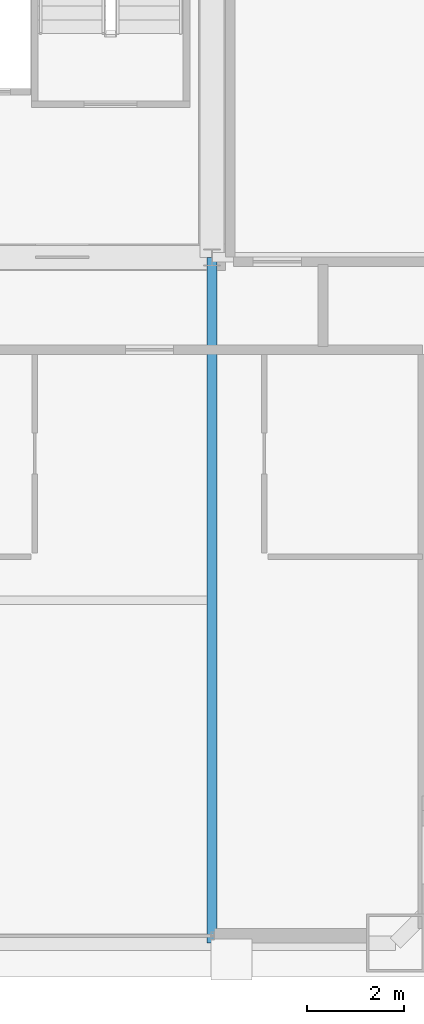
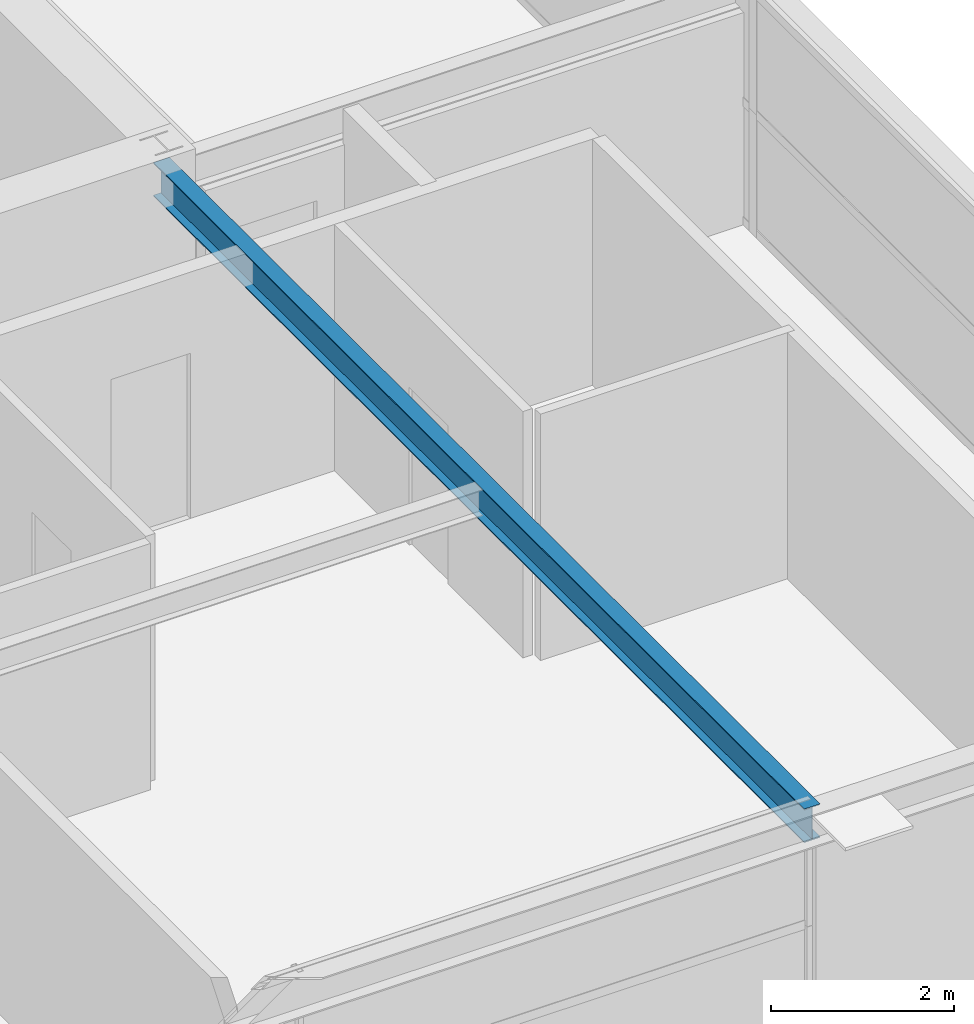
# One storey, part 17 of 37: 1 beam.
"""IFC4 building model written with IfcOpenShell, lengths in metres."""

from ifc_helpers import new_model, si_unit, direction, frame, origin, origin_2d, place, context, subcontext, project, spatial, i_section, extrude, source, transform, mapped, material, material_profile, profile_set, type_object, element, save


model = new_model("IFC4")

# Units and contexts
model_context = context("Model", 3, precision=1e-05, world=origin(), true_north=direction((0.0, 1.0)))
body_context = subcontext(model_context, "Body", "Model", "MODEL_VIEW")
ifc_project = project(units=[si_unit("LENGTHUNIT", "METRE"), si_unit("AREAUNIT", "SQUARE_METRE"), si_unit("VOLUMEUNIT", "CUBIC_METRE"), si_unit("PLANEANGLEUNIT", "RADIAN"), si_unit("MASSUNIT", "GRAM", prefix="KILO"), si_unit("THERMODYNAMICTEMPERATUREUNIT", "KELVIN"), si_unit("POWERUNIT", "WATT")], contexts=[model_context])

# Site, building, storey
site_placement = place(None, origin())
site = spatial("IfcSite", under=ifc_project, at=site_placement, CompositionType="ELEMENT")
building_placement = place(site_placement, origin())
building = spatial("IfcBuilding", under=site, at=building_placement, Name="Yuzanri Waterfront Tower", CompositionType="ELEMENT")
storey_placement = place(building_placement, frame((0.0, 0.0, 268.10009765625)))
storey = spatial("IfcBuildingStorey", under=building, at=storey_placement, Name="L71", CompositionType="ELEMENT", Elevation=268.10009765625)

# Beam
ifc_material = material(Name="Steel Q355B", Category="steel")
ifc_material_profile = material_profile(ifc_material, i_section(OverallWidth=0.199951171875, OverallDepth=0.449951171875, WebThickness=0.009033203125, FlangeThickness=0.013916015625, at=origin_2d()), Name="HN 450x200x9x14")
ifc_profile_set = profile_set([ifc_material_profile], Name="Steel Q355B")
beam_type = type_object("IfcBeamType", Name="Secondary Floor Beam Q355B HN 450x200", PredefinedType="BEAM", material=ifc_profile_set)
shared_shape = source(origin(), body_context, "Body", "SweptSolid", [
    extrude(i_section(OverallWidth=0.199951171875, OverallDepth=0.449951171875, WebThickness=0.009033203125, FlangeThickness=0.013916015625, at=origin_2d()), origin(), (0.0, 0.0, 1.0), 14.199951171875),
])
beam_placement = place(storey_placement, frame((50.199951171875, 19.39990234375, 3.054931640625), z_axis=(0.0, -1.0, 0.0), x_axis=(1.0, 0.0, 0.0)))
element("IfcBeam", 1, at=beam_placement, inside=storey, type_object=beam_type, Name="L71 South-East Core Line Beam", PredefinedType="BEAM", context=body_context, shape_type="MappedRepresentation", body=[
    mapped(shared_shape, transform((0.0, 0.0, 0.0), scale=1.0)),
])

save(model, "model.ifc")
